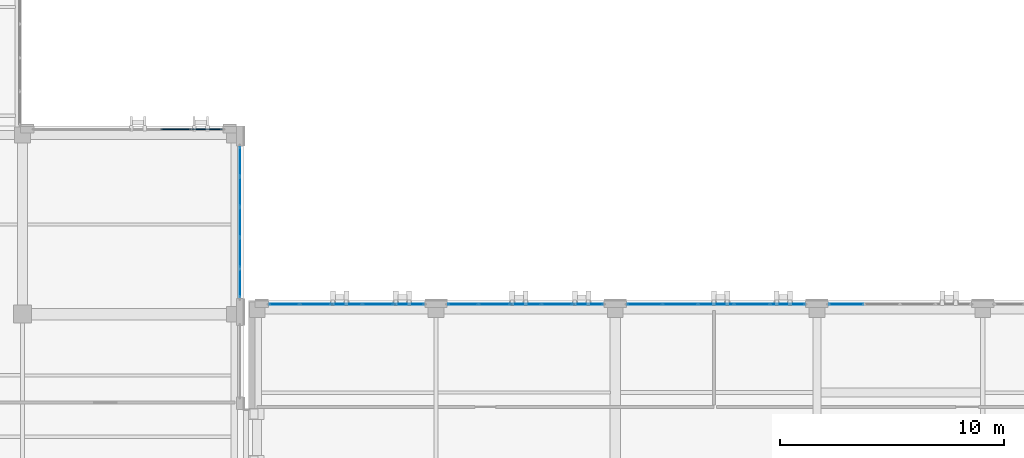
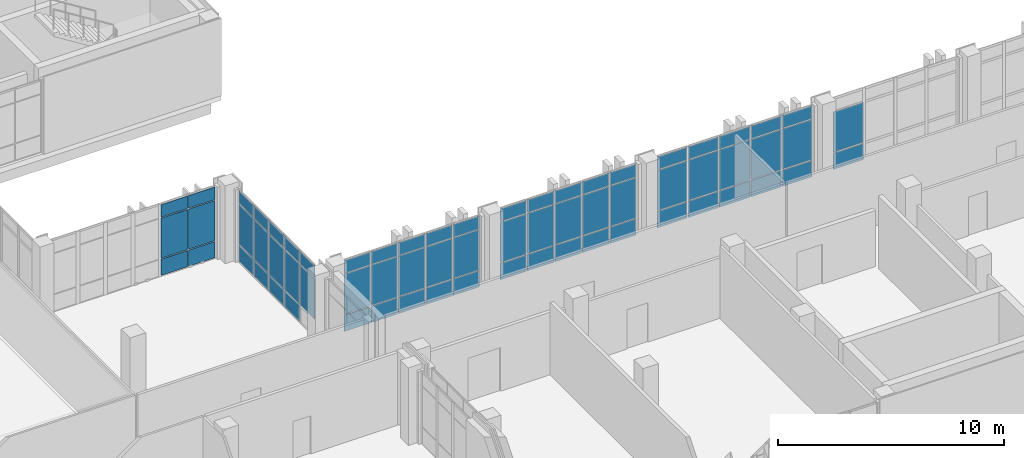
# One storey, part 139 of 193: 67 plates, 6 elements without a shape of their own.
"""IFC4 building model written with IfcOpenShell, lengths in metres."""

from ifc_helpers import new_model, si_unit, direction, frame, origin, origin_2d, place, context, subcontext, project, spatial, rectangle, extrude, material, layer, layer_set, type_object, element, aggregate, save


model = new_model("IFC4")

# Units and contexts
model_context = context("Model", 3, precision=1e-05, world=origin(), true_north=direction((0.0, 1.0)))
body_context = subcontext(model_context, "Body", "Model", "MODEL_VIEW")
ifc_project = project(units=[si_unit("LENGTHUNIT", "METRE"), si_unit("AREAUNIT", "SQUARE_METRE"), si_unit("VOLUMEUNIT", "CUBIC_METRE"), si_unit("PLANEANGLEUNIT", "RADIAN"), si_unit("MASSUNIT", "GRAM", prefix="KILO")], contexts=[model_context])

# Site, building, storey
site_placement = place(None, origin())
site = spatial("IfcSite", under=ifc_project, at=site_placement, CompositionType="ELEMENT")
building_placement = place(site_placement, origin())
building = spatial("IfcBuilding", under=site, at=building_placement, Name="Qalavern Law Courts", CompositionType="ELEMENT")
storey_placement = place(building_placement, frame((0.0, 0.0, 10.199951171875)))
storey = spatial("IfcBuildingStorey", under=building, at=storey_placement, Name="L02", CompositionType="ELEMENT", Elevation=10.199951171875)

# Curtain wall, plates
ifc_material_1 = material(Name="Anodised aluminium and insulated glazing", Category="aluminium")
ifc_layer_1 = layer(ifc_material_1, 0.18505859375)
ifc_layer_set_1 = layer_set([ifc_layer_1], Name="Anodised aluminium and insulated glazing")
curtain_wall_type_1 = type_object("IfcCurtainWallType", Name="ENV-CW-HALL", PredefinedType="USERDEFINED", material=ifc_layer_set_1)
curtain_wall_1_placement = place(storey_placement, origin())
curtain_wall_1 = element("IfcCurtainWall", 1, at=curtain_wall_1_placement, inside=storey, type_object=curtain_wall_type_1, Name="V2 unitised curtain wall L02 east 2", ObjectType="UNITISED CURTAIN WALL", PredefinedType="USERDEFINED")
ifc_material_2 = material(Name="Insulated low-E acoustic glazing", Category="glass")
ifc_layer_2 = layer(ifc_material_2, 0.02392578125)
ifc_layer_set_2 = layer_set([ifc_layer_2], Name="Insulated low-E acoustic glazing")
plate_type_1 = type_object("IfcPlateType", Name="ENV-CWP-24", PredefinedType="CURTAIN_PANEL", material=ifc_layer_set_2)
plate_1_placement = place(storey_placement, frame((101.044921875, 23.39208984375, 0.97412109375), z_axis=(0.0, 0.0, 1.0), x_axis=(0.0, 1.0, 0.0)))
plate_1 = element("IfcPlate", 2, at=plate_1_placement, type_object=plate_type_1, Name="CW-02 panel 1.2", PredefinedType="CURTAIN_PANEL", context=body_context, shape_type="SweptSolid", body=[
    extrude(rectangle(XDim=1.2880859375, YDim=0.02392578125, at=origin_2d()), origin(), (0.0, 0.0, 1.0), 2.1669921875),
])
plate_2_placement = place(storey_placement, frame((101.044921875, 23.39208984375, 3.18896484375), z_axis=(0.0, 0.0, 1.0), x_axis=(0.0, 1.0, 0.0)))
plate_2 = element("IfcPlate", 3, at=plate_2_placement, type_object=plate_type_1, Name="CW-02 panel 1.3", PredefinedType="CURTAIN_PANEL", context=body_context, shape_type="SweptSolid", body=[
    extrude(rectangle(XDim=1.2880859375, YDim=0.02392578125, at=origin_2d()), origin(), (0.0, 0.0, 1.0), 0.677978515625),
])
plate_3_placement = place(storey_placement, frame((101.044921875, 24.739990234375, 0.048095703125), z_axis=(0.0, 0.0, 1.0), x_axis=(0.0, 1.0, 0.0)))
plate_3 = element("IfcPlate", 4, at=plate_3_placement, type_object=plate_type_1, Name="CW-02 panel 2.1", PredefinedType="CURTAIN_PANEL", context=body_context, shape_type="SweptSolid", body=[
    extrude(rectangle(XDim=1.31201171875, YDim=0.02392578125, at=origin_2d()), origin(), (0.0, 0.0, 1.0), 0.8779296875),
])
plate_4_placement = place(storey_placement, frame((101.044921875, 24.739990234375, 0.97412109375), z_axis=(0.0, 0.0, 1.0), x_axis=(0.0, 1.0, 0.0)))
plate_4 = element("IfcPlate", 5, at=plate_4_placement, type_object=plate_type_1, Name="CW-02 panel 2.2", PredefinedType="CURTAIN_PANEL", context=body_context, shape_type="SweptSolid", body=[
    extrude(rectangle(XDim=1.31201171875, YDim=0.02392578125, at=origin_2d()), origin(), (0.0, 0.0, 1.0), 2.1669921875),
])
plate_5_placement = place(storey_placement, frame((101.044921875, 24.739990234375, 3.18896484375), z_axis=(0.0, 0.0, 1.0), x_axis=(0.0, 1.0, 0.0)))
plate_5 = element("IfcPlate", 6, at=plate_5_placement, type_object=plate_type_1, Name="CW-02 panel 2.3", PredefinedType="CURTAIN_PANEL", context=body_context, shape_type="SweptSolid", body=[
    extrude(rectangle(XDim=1.31201171875, YDim=0.02392578125, at=origin_2d()), origin(), (0.0, 0.0, 1.0), 0.677978515625),
])
plate_6_placement = place(storey_placement, frame((101.044921875, 26.10009765625, 0.048095703125), z_axis=(0.0, 0.0, 1.0), x_axis=(0.0, 1.0, 0.0)))
plate_6 = element("IfcPlate", 7, at=plate_6_placement, type_object=plate_type_1, Name="CW-02 panel 3.1", PredefinedType="CURTAIN_PANEL", context=body_context, shape_type="SweptSolid", body=[
    extrude(rectangle(XDim=1.31201171875, YDim=0.02392578125, at=origin_2d()), origin(), (0.0, 0.0, 1.0), 0.8779296875),
])
plate_7_placement = place(storey_placement, frame((101.044921875, 26.10009765625, 0.97412109375), z_axis=(0.0, 0.0, 1.0), x_axis=(0.0, 1.0, 0.0)))
plate_7 = element("IfcPlate", 8, at=plate_7_placement, type_object=plate_type_1, Name="CW-02 panel 3.2", PredefinedType="CURTAIN_PANEL", context=body_context, shape_type="SweptSolid", body=[
    extrude(rectangle(XDim=1.31201171875, YDim=0.02392578125, at=origin_2d()), origin(), (0.0, 0.0, 1.0), 2.1669921875),
])
plate_8_placement = place(storey_placement, frame((101.044921875, 26.10009765625, 3.18896484375), z_axis=(0.0, 0.0, 1.0), x_axis=(0.0, 1.0, 0.0)))
plate_8 = element("IfcPlate", 9, at=plate_8_placement, type_object=plate_type_1, Name="CW-02 panel 3.3", PredefinedType="CURTAIN_PANEL", context=body_context, shape_type="SweptSolid", body=[
    extrude(rectangle(XDim=1.31201171875, YDim=0.02392578125, at=origin_2d()), origin(), (0.0, 0.0, 1.0), 0.677978515625),
])
plate_9_placement = place(storey_placement, frame((101.044921875, 27.4599609375, 0.048095703125), z_axis=(0.0, 0.0, 1.0), x_axis=(0.0, 1.0, 0.0)))
plate_9 = element("IfcPlate", 10, at=plate_9_placement, type_object=plate_type_1, Name="CW-02 panel 4.1", PredefinedType="CURTAIN_PANEL", context=body_context, shape_type="SweptSolid", body=[
    extrude(rectangle(XDim=1.31201171875, YDim=0.02392578125, at=origin_2d()), origin(), (0.0, 0.0, 1.0), 0.8779296875),
])
plate_10_placement = place(storey_placement, frame((101.044921875, 27.4599609375, 0.97412109375), z_axis=(0.0, 0.0, 1.0), x_axis=(0.0, 1.0, 0.0)))
plate_10 = element("IfcPlate", 11, at=plate_10_placement, type_object=plate_type_1, Name="CW-02 panel 4.2", PredefinedType="CURTAIN_PANEL", context=body_context, shape_type="SweptSolid", body=[
    extrude(rectangle(XDim=1.31201171875, YDim=0.02392578125, at=origin_2d()), origin(), (0.0, 0.0, 1.0), 2.1669921875),
])
plate_11_placement = place(storey_placement, frame((101.044921875, 27.4599609375, 3.18896484375), z_axis=(0.0, 0.0, 1.0), x_axis=(0.0, 1.0, 0.0)))
plate_11 = element("IfcPlate", 12, at=plate_11_placement, type_object=plate_type_1, Name="CW-02 panel 4.3", PredefinedType="CURTAIN_PANEL", context=body_context, shape_type="SweptSolid", body=[
    extrude(rectangle(XDim=1.31201171875, YDim=0.02392578125, at=origin_2d()), origin(), (0.0, 0.0, 1.0), 0.677978515625),
])
plate_12_placement = place(storey_placement, frame((101.044921875, 28.80810546875, 0.048095703125), z_axis=(0.0, 0.0, 1.0), x_axis=(0.0, 1.0, 0.0)))
plate_12 = element("IfcPlate", 13, at=plate_12_placement, type_object=plate_type_1, Name="CW-02 panel 5.1", PredefinedType="CURTAIN_PANEL", context=body_context, shape_type="SweptSolid", body=[
    extrude(rectangle(XDim=1.2880859375, YDim=0.02392578125, at=origin_2d()), origin(), (0.0, 0.0, 1.0), 0.8779296875),
])
plate_13_placement = place(storey_placement, frame((101.044921875, 28.80810546875, 0.97412109375), z_axis=(0.0, 0.0, 1.0), x_axis=(0.0, 1.0, 0.0)))
plate_13 = element("IfcPlate", 14, at=plate_13_placement, type_object=plate_type_1, Name="CW-02 panel 5.2", PredefinedType="CURTAIN_PANEL", context=body_context, shape_type="SweptSolid", body=[
    extrude(rectangle(XDim=1.2880859375, YDim=0.02392578125, at=origin_2d()), origin(), (0.0, 0.0, 1.0), 2.1669921875),
])
plate_14_placement = place(storey_placement, frame((101.044921875, 28.80810546875, 3.18896484375), z_axis=(0.0, 0.0, 1.0), x_axis=(0.0, 1.0, 0.0)))
plate_14 = element("IfcPlate", 15, at=plate_14_placement, type_object=plate_type_1, Name="CW-02 panel 5.3", PredefinedType="CURTAIN_PANEL", context=body_context, shape_type="SweptSolid", body=[
    extrude(rectangle(XDim=1.2880859375, YDim=0.02392578125, at=origin_2d()), origin(), (0.0, 0.0, 1.0), 0.677978515625),
])
aggregate(curtain_wall_1, [plate_1, plate_2, plate_3, plate_4, plate_5, plate_6, plate_7, plate_8, plate_9, plate_10, plate_11, plate_12, plate_13, plate_14])

ifc_layer_3 = layer(ifc_material_1, 0.172119140625)
ifc_layer_set_3 = layer_set([ifc_layer_3], Name="Anodised aluminium and insulated glazing")
curtain_wall_type_2 = type_object("IfcCurtainWallType", Name="ENV-CW-COURT", PredefinedType="USERDEFINED", material=ifc_layer_set_3)
curtain_wall_2_placement = place(storey_placement, origin())
curtain_wall_2 = element("IfcCurtainWall", 16, at=curtain_wall_2_placement, inside=storey, type_object=curtain_wall_type_2, Name="V6 unitised curtain wall L02 north 5", ObjectType="UNITISED CURTAIN WALL", PredefinedType="USERDEFINED")
ifc_layer_4 = layer(ifc_material_2, 0.031982421875)
ifc_layer_set_4 = layer_set([ifc_layer_4], Name="Insulated low-E acoustic glazing")
plate_type_2 = type_object("IfcPlateType", Name="ENV-CWP-32", PredefinedType="CURTAIN_PANEL", material=ifc_layer_set_4)
plate_15_placement = place(storey_placement, frame((128.112060546875, 22.445068359375, 0.048095703125), z_axis=(0.0, 0.0, 1.0), x_axis=(-1.0, 0.0, 0.0)))
plate_15 = element("IfcPlate", 17, at=plate_15_placement, type_object=plate_type_2, Name="CW-03 panel 4.1", PredefinedType="CURTAIN_PANEL", context=body_context, shape_type="SweptSolid", body=[
    extrude(rectangle(XDim=1.528076171875, YDim=0.031982421875, at=origin_2d()), origin(), (0.0, 0.0, 1.0), 0.8779296875),
])
plate_16_placement = place(storey_placement, frame((128.112060546875, 22.445068359375, 0.97412109375), z_axis=(0.0, 0.0, 1.0), x_axis=(-1.0, 0.0, 0.0)))
plate_16 = element("IfcPlate", 18, at=plate_16_placement, type_object=plate_type_2, Name="CW-03 panel 4.2", PredefinedType="CURTAIN_PANEL", context=body_context, shape_type="SweptSolid", body=[
    extrude(rectangle(XDim=1.528076171875, YDim=0.031982421875, at=origin_2d()), origin(), (0.0, 0.0, 1.0), 2.1669921875),
])
aggregate(curtain_wall_2, [plate_15, plate_16])

curtain_wall_3_placement = place(storey_placement, origin())
curtain_wall_3 = element("IfcCurtainWall", 19, at=curtain_wall_3_placement, inside=storey, type_object=curtain_wall_type_2, Name="V6 unitised curtain wall L02 north 6", ObjectType="UNITISED CURTAIN WALL", PredefinedType="USERDEFINED")
ifc_layer_5 = layer(ifc_material_2, 0.035888671875)
ifc_layer_set_5 = layer_set([ifc_layer_5], Name="Insulated low-E acoustic glazing")
plate_type_3 = type_object("IfcPlateType", Name="ENV-CWP-36", PredefinedType="CURTAIN_PANEL", material=ifc_layer_set_5)
plate_17_placement = place(storey_placement, frame((125.488037109375, 22.445068359375, 0.048095703125), z_axis=(0.0, 0.0, 1.0), x_axis=(-1.0, 0.0, 0.0)))
plate_17 = element("IfcPlate", 20, at=plate_17_placement, type_object=plate_type_3, Name="CW-03 panel 1.1", PredefinedType="CURTAIN_PANEL", context=body_context, shape_type="SweptSolid", body=[
    extrude(rectangle(XDim=1.528076171875, YDim=0.035888671875, at=origin_2d()), origin(), (0.0, 0.0, 1.0), 0.8779296875),
])
plate_18_placement = place(storey_placement, frame((125.488037109375, 22.445068359375, 0.97412109375), z_axis=(0.0, 0.0, 1.0), x_axis=(-1.0, 0.0, 0.0)))
plate_18 = element("IfcPlate", 21, at=plate_18_placement, type_object=plate_type_3, Name="CW-03 panel 1.2", PredefinedType="CURTAIN_PANEL", context=body_context, shape_type="SweptSolid", body=[
    extrude(rectangle(XDim=1.528076171875, YDim=0.035888671875, at=origin_2d()), origin(), (0.0, 0.0, 1.0), 2.1669921875),
])
plate_19_placement = place(storey_placement, frame((125.488037109375, 22.445068359375, 3.18896484375), z_axis=(0.0, 0.0, 1.0), x_axis=(-1.0, 0.0, 0.0)))
plate_19 = element("IfcPlate", 22, at=plate_19_placement, type_object=plate_type_3, Name="CW-03 panel 1.3", PredefinedType="CURTAIN_PANEL", context=body_context, shape_type="SweptSolid", body=[
    extrude(rectangle(XDim=1.528076171875, YDim=0.035888671875, at=origin_2d()), origin(), (0.0, 0.0, 1.0), 0.677978515625),
])
plate_20_placement = place(storey_placement, frame((123.89990234375, 22.445068359375, 0.048095703125), z_axis=(0.0, 0.0, 1.0), x_axis=(-1.0, 0.0, 0.0)))
plate_20 = element("IfcPlate", 23, at=plate_20_placement, type_object=plate_type_3, Name="CW-03 panel 2.1", PredefinedType="CURTAIN_PANEL", context=body_context, shape_type="SweptSolid", body=[
    extrude(rectangle(XDim=1.552001953125, YDim=0.035888671875, at=origin_2d()), origin(), (0.0, 0.0, 1.0), 0.8779296875),
])
plate_21_placement = place(storey_placement, frame((123.89990234375, 22.445068359375, 0.97412109375), z_axis=(0.0, 0.0, 1.0), x_axis=(-1.0, 0.0, 0.0)))
plate_21 = element("IfcPlate", 24, at=plate_21_placement, type_object=plate_type_3, Name="CW-03 panel 2.2", PredefinedType="CURTAIN_PANEL", context=body_context, shape_type="SweptSolid", body=[
    extrude(rectangle(XDim=1.552001953125, YDim=0.035888671875, at=origin_2d()), origin(), (0.0, 0.0, 1.0), 2.1669921875),
])
plate_22_placement = place(storey_placement, frame((123.89990234375, 22.445068359375, 3.18896484375), z_axis=(0.0, 0.0, 1.0), x_axis=(-1.0, 0.0, 0.0)))
plate_22 = element("IfcPlate", 25, at=plate_22_placement, type_object=plate_type_3, Name="CW-03 panel 2.3", PredefinedType="CURTAIN_PANEL", context=body_context, shape_type="SweptSolid", body=[
    extrude(rectangle(XDim=1.552001953125, YDim=0.035888671875, at=origin_2d()), origin(), (0.0, 0.0, 1.0), 0.677978515625),
])
plate_23_placement = place(storey_placement, frame((122.300048828125, 22.445068359375, 0.048095703125), z_axis=(0.0, 0.0, 1.0), x_axis=(-1.0, 0.0, 0.0)))
plate_23 = element("IfcPlate", 26, at=plate_23_placement, type_object=plate_type_3, Name="CW-03 panel 3.1", PredefinedType="CURTAIN_PANEL", context=body_context, shape_type="SweptSolid", body=[
    extrude(rectangle(XDim=1.552001953125, YDim=0.035888671875, at=origin_2d()), origin(), (0.0, 0.0, 1.0), 0.8779296875),
])
plate_24_placement = place(storey_placement, frame((122.300048828125, 22.445068359375, 0.97412109375), z_axis=(0.0, 0.0, 1.0), x_axis=(-1.0, 0.0, 0.0)))
plate_24 = element("IfcPlate", 27, at=plate_24_placement, type_object=plate_type_3, Name="CW-03 panel 3.2", PredefinedType="CURTAIN_PANEL", context=body_context, shape_type="SweptSolid", body=[
    extrude(rectangle(XDim=1.552001953125, YDim=0.035888671875, at=origin_2d()), origin(), (0.0, 0.0, 1.0), 2.1669921875),
])
plate_25_placement = place(storey_placement, frame((122.300048828125, 22.445068359375, 3.18896484375), z_axis=(0.0, 0.0, 1.0), x_axis=(-1.0, 0.0, 0.0)))
plate_25 = element("IfcPlate", 28, at=plate_25_placement, type_object=plate_type_3, Name="CW-03 panel 3.3", PredefinedType="CURTAIN_PANEL", context=body_context, shape_type="SweptSolid", body=[
    extrude(rectangle(XDim=1.552001953125, YDim=0.035888671875, at=origin_2d()), origin(), (0.0, 0.0, 1.0), 0.677978515625),
])
plate_26_placement = place(storey_placement, frame((120.699951171875, 22.445068359375, 0.048095703125), z_axis=(0.0, 0.0, 1.0), x_axis=(-1.0, 0.0, 0.0)))
plate_26 = element("IfcPlate", 29, at=plate_26_placement, type_object=plate_type_3, Name="CW-03 panel 4.1", PredefinedType="CURTAIN_PANEL", context=body_context, shape_type="SweptSolid", body=[
    extrude(rectangle(XDim=1.552001953125, YDim=0.035888671875, at=origin_2d()), origin(), (0.0, 0.0, 1.0), 0.8779296875),
])
plate_27_placement = place(storey_placement, frame((120.699951171875, 22.445068359375, 0.97412109375), z_axis=(0.0, 0.0, 1.0), x_axis=(-1.0, 0.0, 0.0)))
plate_27 = element("IfcPlate", 30, at=plate_27_placement, type_object=plate_type_3, Name="CW-03 panel 4.2", PredefinedType="CURTAIN_PANEL", context=body_context, shape_type="SweptSolid", body=[
    extrude(rectangle(XDim=1.552001953125, YDim=0.035888671875, at=origin_2d()), origin(), (0.0, 0.0, 1.0), 2.1669921875),
])
plate_28_placement = place(storey_placement, frame((120.699951171875, 22.445068359375, 3.18896484375), z_axis=(0.0, 0.0, 1.0), x_axis=(-1.0, 0.0, 0.0)))
plate_28 = element("IfcPlate", 31, at=plate_28_placement, type_object=plate_type_3, Name="CW-03 panel 4.3", PredefinedType="CURTAIN_PANEL", context=body_context, shape_type="SweptSolid", body=[
    extrude(rectangle(XDim=1.552001953125, YDim=0.035888671875, at=origin_2d()), origin(), (0.0, 0.0, 1.0), 0.677978515625),
])
plate_29_placement = place(storey_placement, frame((119.112060546875, 22.445068359375, 0.048095703125), z_axis=(0.0, 0.0, 1.0), x_axis=(-1.0, 0.0, 0.0)))
plate_29 = element("IfcPlate", 32, at=plate_29_placement, type_object=plate_type_3, Name="CW-03 panel 5.1", PredefinedType="CURTAIN_PANEL", context=body_context, shape_type="SweptSolid", body=[
    extrude(rectangle(XDim=1.528076171875, YDim=0.035888671875, at=origin_2d()), origin(), (0.0, 0.0, 1.0), 0.8779296875),
])
plate_30_placement = place(storey_placement, frame((119.112060546875, 22.445068359375, 0.97412109375), z_axis=(0.0, 0.0, 1.0), x_axis=(-1.0, 0.0, 0.0)))
plate_30 = element("IfcPlate", 33, at=plate_30_placement, type_object=plate_type_3, Name="CW-03 panel 5.2", PredefinedType="CURTAIN_PANEL", context=body_context, shape_type="SweptSolid", body=[
    extrude(rectangle(XDim=1.528076171875, YDim=0.035888671875, at=origin_2d()), origin(), (0.0, 0.0, 1.0), 2.1669921875),
])
plate_31_placement = place(storey_placement, frame((119.112060546875, 22.445068359375, 3.18896484375), z_axis=(0.0, 0.0, 1.0), x_axis=(-1.0, 0.0, 0.0)))
plate_31 = element("IfcPlate", 34, at=plate_31_placement, type_object=plate_type_3, Name="CW-03 panel 5.3", PredefinedType="CURTAIN_PANEL", context=body_context, shape_type="SweptSolid", body=[
    extrude(rectangle(XDim=1.528076171875, YDim=0.035888671875, at=origin_2d()), origin(), (0.0, 0.0, 1.0), 0.677978515625),
])
aggregate(curtain_wall_3, [plate_17, plate_18, plate_19, plate_20, plate_21, plate_22, plate_23, plate_24, plate_25, plate_26, plate_27, plate_28, plate_29, plate_30, plate_31])

curtain_wall_4_placement = place(storey_placement, origin())
curtain_wall_4 = element("IfcCurtainWall", 35, at=curtain_wall_4_placement, inside=storey, type_object=curtain_wall_type_2, Name="V6 unitised curtain wall L02 north 7", ObjectType="UNITISED CURTAIN WALL", PredefinedType="USERDEFINED")
ifc_layer_6 = layer(ifc_material_2, 0.0400390625)
ifc_layer_set_6 = layer_set([ifc_layer_6], Name="Insulated low-E acoustic glazing")
plate_type_4 = type_object("IfcPlateType", Name="ENV-CWP-40", PredefinedType="CURTAIN_PANEL", material=ifc_layer_set_6)
plate_32_placement = place(storey_placement, frame((116.587890625, 22.445068359375, 0.048095703125), z_axis=(0.0, 0.0, 1.0), x_axis=(-1.0, 0.0, 0.0)))
plate_32 = element("IfcPlate", 36, at=plate_32_placement, type_object=plate_type_4, Name="CW-03 panel 1.1", PredefinedType="CURTAIN_PANEL", context=body_context, shape_type="SweptSolid", body=[
    extrude(rectangle(XDim=1.327880859375, YDim=0.0400390625, at=origin_2d()), origin(), (0.0, 0.0, 1.0), 0.8779296875),
])
plate_33_placement = place(storey_placement, frame((116.587890625, 22.445068359375, 0.97412109375), z_axis=(0.0, 0.0, 1.0), x_axis=(-1.0, 0.0, 0.0)))
plate_33 = element("IfcPlate", 37, at=plate_33_placement, type_object=plate_type_4, Name="CW-03 panel 1.2", PredefinedType="CURTAIN_PANEL", context=body_context, shape_type="SweptSolid", body=[
    extrude(rectangle(XDim=1.327880859375, YDim=0.0400390625, at=origin_2d()), origin(), (0.0, 0.0, 1.0), 2.1669921875),
])
plate_34_placement = place(storey_placement, frame((116.587890625, 22.445068359375, 3.18896484375), z_axis=(0.0, 0.0, 1.0), x_axis=(-1.0, 0.0, 0.0)))
plate_34 = element("IfcPlate", 38, at=plate_34_placement, type_object=plate_type_4, Name="CW-03 panel 1.3", PredefinedType="CURTAIN_PANEL", context=body_context, shape_type="SweptSolid", body=[
    extrude(rectangle(XDim=1.327880859375, YDim=0.0400390625, at=origin_2d()), origin(), (0.0, 0.0, 1.0), 0.677978515625),
])
plate_35_placement = place(storey_placement, frame((115.199951171875, 22.445068359375, 0.048095703125), z_axis=(0.0, 0.0, 1.0), x_axis=(-1.0, 0.0, 0.0)))
plate_35 = element("IfcPlate", 39, at=plate_35_placement, type_object=plate_type_4, Name="CW-03 panel 2.1", PredefinedType="CURTAIN_PANEL", context=body_context, shape_type="SweptSolid", body=[
    extrude(rectangle(XDim=1.35205078125, YDim=0.0400390625, at=origin_2d()), origin(), (0.0, 0.0, 1.0), 0.8779296875),
])
plate_36_placement = place(storey_placement, frame((115.199951171875, 22.445068359375, 0.97412109375), z_axis=(0.0, 0.0, 1.0), x_axis=(-1.0, 0.0, 0.0)))
plate_36 = element("IfcPlate", 40, at=plate_36_placement, type_object=plate_type_4, Name="CW-03 panel 2.2", PredefinedType="CURTAIN_PANEL", context=body_context, shape_type="SweptSolid", body=[
    extrude(rectangle(XDim=1.35205078125, YDim=0.0400390625, at=origin_2d()), origin(), (0.0, 0.0, 1.0), 2.1669921875),
])
plate_37_placement = place(storey_placement, frame((115.199951171875, 22.445068359375, 3.18896484375), z_axis=(0.0, 0.0, 1.0), x_axis=(-1.0, 0.0, 0.0)))
plate_37 = element("IfcPlate", 41, at=plate_37_placement, type_object=plate_type_4, Name="CW-03 panel 2.3", PredefinedType="CURTAIN_PANEL", context=body_context, shape_type="SweptSolid", body=[
    extrude(rectangle(XDim=1.35205078125, YDim=0.0400390625, at=origin_2d()), origin(), (0.0, 0.0, 1.0), 0.677978515625),
])
plate_38_placement = place(storey_placement, frame((113.800048828125, 22.445068359375, 0.048095703125), z_axis=(0.0, 0.0, 1.0), x_axis=(-1.0, 0.0, 0.0)))
plate_38 = element("IfcPlate", 42, at=plate_38_placement, type_object=plate_type_4, Name="CW-03 panel 3.1", PredefinedType="CURTAIN_PANEL", context=body_context, shape_type="SweptSolid", body=[
    extrude(rectangle(XDim=1.35205078125, YDim=0.0400390625, at=origin_2d()), origin(), (0.0, 0.0, 1.0), 0.8779296875),
])
plate_39_placement = place(storey_placement, frame((113.800048828125, 22.445068359375, 0.97412109375), z_axis=(0.0, 0.0, 1.0), x_axis=(-1.0, 0.0, 0.0)))
plate_39 = element("IfcPlate", 43, at=plate_39_placement, type_object=plate_type_4, Name="CW-03 panel 3.2", PredefinedType="CURTAIN_PANEL", context=body_context, shape_type="SweptSolid", body=[
    extrude(rectangle(XDim=1.35205078125, YDim=0.0400390625, at=origin_2d()), origin(), (0.0, 0.0, 1.0), 2.1669921875),
])
plate_40_placement = place(storey_placement, frame((113.800048828125, 22.445068359375, 3.18896484375), z_axis=(0.0, 0.0, 1.0), x_axis=(-1.0, 0.0, 0.0)))
plate_40 = element("IfcPlate", 44, at=plate_40_placement, type_object=plate_type_4, Name="CW-03 panel 3.3", PredefinedType="CURTAIN_PANEL", context=body_context, shape_type="SweptSolid", body=[
    extrude(rectangle(XDim=1.35205078125, YDim=0.0400390625, at=origin_2d()), origin(), (0.0, 0.0, 1.0), 0.677978515625),
])
plate_41_placement = place(storey_placement, frame((112.39990234375, 22.445068359375, 0.048095703125), z_axis=(0.0, 0.0, 1.0), x_axis=(-1.0, 0.0, 0.0)))
plate_41 = element("IfcPlate", 45, at=plate_41_placement, type_object=plate_type_4, Name="CW-03 panel 4.1", PredefinedType="CURTAIN_PANEL", context=body_context, shape_type="SweptSolid", body=[
    extrude(rectangle(XDim=1.35205078125, YDim=0.0400390625, at=origin_2d()), origin(), (0.0, 0.0, 1.0), 0.8779296875),
])
plate_42_placement = place(storey_placement, frame((112.39990234375, 22.445068359375, 0.97412109375), z_axis=(0.0, 0.0, 1.0), x_axis=(-1.0, 0.0, 0.0)))
plate_42 = element("IfcPlate", 46, at=plate_42_placement, type_object=plate_type_4, Name="CW-03 panel 4.2", PredefinedType="CURTAIN_PANEL", context=body_context, shape_type="SweptSolid", body=[
    extrude(rectangle(XDim=1.35205078125, YDim=0.0400390625, at=origin_2d()), origin(), (0.0, 0.0, 1.0), 2.1669921875),
])
plate_43_placement = place(storey_placement, frame((112.39990234375, 22.445068359375, 3.18896484375), z_axis=(0.0, 0.0, 1.0), x_axis=(-1.0, 0.0, 0.0)))
plate_43 = element("IfcPlate", 47, at=plate_43_placement, type_object=plate_type_4, Name="CW-03 panel 4.3", PredefinedType="CURTAIN_PANEL", context=body_context, shape_type="SweptSolid", body=[
    extrude(rectangle(XDim=1.35205078125, YDim=0.0400390625, at=origin_2d()), origin(), (0.0, 0.0, 1.0), 0.677978515625),
])
plate_44_placement = place(storey_placement, frame((111.011962890625, 22.445068359375, 0.048095703125), z_axis=(0.0, 0.0, 1.0), x_axis=(-1.0, 0.0, 0.0)))
plate_44 = element("IfcPlate", 48, at=plate_44_placement, type_object=plate_type_4, Name="CW-03 panel 5.1", PredefinedType="CURTAIN_PANEL", context=body_context, shape_type="SweptSolid", body=[
    extrude(rectangle(XDim=1.327880859375, YDim=0.0400390625, at=origin_2d()), origin(), (0.0, 0.0, 1.0), 0.8779296875),
])
plate_45_placement = place(storey_placement, frame((111.011962890625, 22.445068359375, 0.97412109375), z_axis=(0.0, 0.0, 1.0), x_axis=(-1.0, 0.0, 0.0)))
plate_45 = element("IfcPlate", 49, at=plate_45_placement, type_object=plate_type_4, Name="CW-03 panel 5.2", PredefinedType="CURTAIN_PANEL", context=body_context, shape_type="SweptSolid", body=[
    extrude(rectangle(XDim=1.327880859375, YDim=0.0400390625, at=origin_2d()), origin(), (0.0, 0.0, 1.0), 2.1669921875),
])
plate_46_placement = place(storey_placement, frame((111.011962890625, 22.445068359375, 3.18896484375), z_axis=(0.0, 0.0, 1.0), x_axis=(-1.0, 0.0, 0.0)))
plate_46 = element("IfcPlate", 50, at=plate_46_placement, type_object=plate_type_4, Name="CW-03 panel 5.3", PredefinedType="CURTAIN_PANEL", context=body_context, shape_type="SweptSolid", body=[
    extrude(rectangle(XDim=1.327880859375, YDim=0.0400390625, at=origin_2d()), origin(), (0.0, 0.0, 1.0), 0.677978515625),
])
aggregate(curtain_wall_4, [plate_32, plate_33, plate_34, plate_35, plate_36, plate_37, plate_38, plate_39, plate_40, plate_41, plate_42, plate_43, plate_44, plate_45, plate_46])

curtain_wall_5_placement = place(storey_placement, origin())
curtain_wall_5 = element("IfcCurtainWall", 51, at=curtain_wall_5_placement, inside=storey, type_object=curtain_wall_type_2, Name="V6 unitised curtain wall L02 north 8", ObjectType="UNITISED CURTAIN WALL", PredefinedType="USERDEFINED")
ifc_layer_7 = layer(ifc_material_2, 0.0439453125)
ifc_layer_set_7 = layer_set([ifc_layer_7], Name="Insulated low-E acoustic glazing")
plate_type_5 = type_object("IfcPlateType", Name="ENV-CWP-44", PredefinedType="CURTAIN_PANEL", material=ifc_layer_set_7)
plate_47_placement = place(storey_placement, frame((108.590087890625, 22.445068359375, 0.048095703125), z_axis=(0.0, 0.0, 1.0), x_axis=(-1.0, 0.0, 0.0)))
plate_47 = element("IfcPlate", 52, at=plate_47_placement, type_object=plate_type_5, Name="CW-03 panel 1.1", PredefinedType="CURTAIN_PANEL", context=body_context, shape_type="SweptSolid", body=[
    extrude(rectangle(XDim=1.323974609375, YDim=0.0439453125, at=origin_2d()), origin(), (0.0, 0.0, 1.0), 0.8779296875),
])
plate_48_placement = place(storey_placement, frame((108.590087890625, 22.445068359375, 0.97412109375), z_axis=(0.0, 0.0, 1.0), x_axis=(-1.0, 0.0, 0.0)))
plate_48 = element("IfcPlate", 53, at=plate_48_placement, type_object=plate_type_5, Name="CW-03 panel 1.2", PredefinedType="CURTAIN_PANEL", context=body_context, shape_type="SweptSolid", body=[
    extrude(rectangle(XDim=1.323974609375, YDim=0.0439453125, at=origin_2d()), origin(), (0.0, 0.0, 1.0), 2.1669921875),
])
plate_49_placement = place(storey_placement, frame((108.590087890625, 22.445068359375, 3.18896484375), z_axis=(0.0, 0.0, 1.0), x_axis=(-1.0, 0.0, 0.0)))
plate_49 = element("IfcPlate", 54, at=plate_49_placement, type_object=plate_type_5, Name="CW-03 panel 1.3", PredefinedType="CURTAIN_PANEL", context=body_context, shape_type="SweptSolid", body=[
    extrude(rectangle(XDim=1.323974609375, YDim=0.0439453125, at=origin_2d()), origin(), (0.0, 0.0, 1.0), 0.677978515625),
])
plate_50_placement = place(storey_placement, frame((107.2060546875, 22.445068359375, 0.048095703125), z_axis=(0.0, 0.0, 1.0), x_axis=(-1.0, 0.0, 0.0)))
plate_50 = element("IfcPlate", 55, at=plate_50_placement, type_object=plate_type_5, Name="CW-03 panel 2.1", PredefinedType="CURTAIN_PANEL", context=body_context, shape_type="SweptSolid", body=[
    extrude(rectangle(XDim=1.347900390625, YDim=0.0439453125, at=origin_2d()), origin(), (0.0, 0.0, 1.0), 0.8779296875),
])
plate_51_placement = place(storey_placement, frame((107.2060546875, 22.445068359375, 0.97412109375), z_axis=(0.0, 0.0, 1.0), x_axis=(-1.0, 0.0, 0.0)))
plate_51 = element("IfcPlate", 56, at=plate_51_placement, type_object=plate_type_5, Name="CW-03 panel 2.2", PredefinedType="CURTAIN_PANEL", context=body_context, shape_type="SweptSolid", body=[
    extrude(rectangle(XDim=1.347900390625, YDim=0.0439453125, at=origin_2d()), origin(), (0.0, 0.0, 1.0), 2.1669921875),
])
plate_52_placement = place(storey_placement, frame((107.2060546875, 22.445068359375, 3.18896484375), z_axis=(0.0, 0.0, 1.0), x_axis=(-1.0, 0.0, 0.0)))
plate_52 = element("IfcPlate", 57, at=plate_52_placement, type_object=plate_type_5, Name="CW-03 panel 2.3", PredefinedType="CURTAIN_PANEL", context=body_context, shape_type="SweptSolid", body=[
    extrude(rectangle(XDim=1.347900390625, YDim=0.0439453125, at=origin_2d()), origin(), (0.0, 0.0, 1.0), 0.677978515625),
])
plate_53_placement = place(storey_placement, frame((105.81005859375, 22.445068359375, 0.048095703125), z_axis=(0.0, 0.0, 1.0), x_axis=(-1.0, 0.0, 0.0)))
plate_53 = element("IfcPlate", 58, at=plate_53_placement, type_object=plate_type_5, Name="CW-03 panel 3.1", PredefinedType="CURTAIN_PANEL", context=body_context, shape_type="SweptSolid", body=[
    extrude(rectangle(XDim=1.347900390625, YDim=0.0439453125, at=origin_2d()), origin(), (0.0, 0.0, 1.0), 0.8779296875),
])
plate_54_placement = place(storey_placement, frame((105.81005859375, 22.445068359375, 0.97412109375), z_axis=(0.0, 0.0, 1.0), x_axis=(-1.0, 0.0, 0.0)))
plate_54 = element("IfcPlate", 59, at=plate_54_placement, type_object=plate_type_5, Name="CW-03 panel 3.2", PredefinedType="CURTAIN_PANEL", context=body_context, shape_type="SweptSolid", body=[
    extrude(rectangle(XDim=1.347900390625, YDim=0.0439453125, at=origin_2d()), origin(), (0.0, 0.0, 1.0), 2.1669921875),
])
plate_55_placement = place(storey_placement, frame((105.81005859375, 22.445068359375, 3.18896484375), z_axis=(0.0, 0.0, 1.0), x_axis=(-1.0, 0.0, 0.0)))
plate_55 = element("IfcPlate", 60, at=plate_55_placement, type_object=plate_type_5, Name="CW-03 panel 3.3", PredefinedType="CURTAIN_PANEL", context=body_context, shape_type="SweptSolid", body=[
    extrude(rectangle(XDim=1.347900390625, YDim=0.0439453125, at=origin_2d()), origin(), (0.0, 0.0, 1.0), 0.677978515625),
])
plate_56_placement = place(storey_placement, frame((104.4140625, 22.445068359375, 0.048095703125), z_axis=(0.0, 0.0, 1.0), x_axis=(-1.0, 0.0, 0.0)))
plate_56 = element("IfcPlate", 61, at=plate_56_placement, type_object=plate_type_5, Name="CW-03 panel 4.1", PredefinedType="CURTAIN_PANEL", context=body_context, shape_type="SweptSolid", body=[
    extrude(rectangle(XDim=1.347900390625, YDim=0.0439453125, at=origin_2d()), origin(), (0.0, 0.0, 1.0), 0.8779296875),
])
plate_57_placement = place(storey_placement, frame((104.4140625, 22.445068359375, 0.97412109375), z_axis=(0.0, 0.0, 1.0), x_axis=(-1.0, 0.0, 0.0)))
plate_57 = element("IfcPlate", 62, at=plate_57_placement, type_object=plate_type_5, Name="CW-03 panel 4.2", PredefinedType="CURTAIN_PANEL", context=body_context, shape_type="SweptSolid", body=[
    extrude(rectangle(XDim=1.347900390625, YDim=0.0439453125, at=origin_2d()), origin(), (0.0, 0.0, 1.0), 2.1669921875),
])
plate_58_placement = place(storey_placement, frame((104.4140625, 22.445068359375, 3.18896484375), z_axis=(0.0, 0.0, 1.0), x_axis=(-1.0, 0.0, 0.0)))
plate_58 = element("IfcPlate", 63, at=plate_58_placement, type_object=plate_type_5, Name="CW-03 panel 4.3", PredefinedType="CURTAIN_PANEL", context=body_context, shape_type="SweptSolid", body=[
    extrude(rectangle(XDim=1.347900390625, YDim=0.0439453125, at=origin_2d()), origin(), (0.0, 0.0, 1.0), 0.677978515625),
])
plate_59_placement = place(storey_placement, frame((103.030029296875, 22.445068359375, 0.048095703125), z_axis=(0.0, 0.0, 1.0), x_axis=(-1.0, 0.0, 0.0)))
plate_59 = element("IfcPlate", 64, at=plate_59_placement, type_object=plate_type_5, Name="CW-03 panel 5.1", PredefinedType="CURTAIN_PANEL", context=body_context, shape_type="SweptSolid", body=[
    extrude(rectangle(XDim=1.323974609375, YDim=0.0439453125, at=origin_2d()), origin(), (0.0, 0.0, 1.0), 0.8779296875),
])
plate_60_placement = place(storey_placement, frame((103.030029296875, 22.445068359375, 0.97412109375), z_axis=(0.0, 0.0, 1.0), x_axis=(-1.0, 0.0, 0.0)))
plate_60 = element("IfcPlate", 65, at=plate_60_placement, type_object=plate_type_5, Name="CW-03 panel 5.2", PredefinedType="CURTAIN_PANEL", context=body_context, shape_type="SweptSolid", body=[
    extrude(rectangle(XDim=1.323974609375, YDim=0.0439453125, at=origin_2d()), origin(), (0.0, 0.0, 1.0), 2.1669921875),
])
plate_61_placement = place(storey_placement, frame((103.030029296875, 22.445068359375, 3.18896484375), z_axis=(0.0, 0.0, 1.0), x_axis=(-1.0, 0.0, 0.0)))
plate_61 = element("IfcPlate", 66, at=plate_61_placement, type_object=plate_type_5, Name="CW-03 panel 5.3", PredefinedType="CURTAIN_PANEL", context=body_context, shape_type="SweptSolid", body=[
    extrude(rectangle(XDim=1.323974609375, YDim=0.0439453125, at=origin_2d()), origin(), (0.0, 0.0, 1.0), 0.677978515625),
])
aggregate(curtain_wall_5, [plate_47, plate_48, plate_49, plate_50, plate_51, plate_52, plate_53, plate_54, plate_55, plate_56, plate_57, plate_58, plate_59, plate_60, plate_61])

curtain_wall_6_placement = place(storey_placement, origin())
curtain_wall_6 = element("IfcCurtainWall", 67, at=curtain_wall_6_placement, inside=storey, type_object=curtain_wall_type_1, Name="V2 unitised curtain wall L02 north 1", ObjectType="UNITISED CURTAIN WALL", PredefinedType="USERDEFINED")
ifc_layer_8 = layer(ifc_material_2, 0.048095703125)
ifc_layer_set_8 = layer_set([ifc_layer_8], Name="Insulated low-E acoustic glazing")
plate_type_6 = type_object("IfcPlateType", Name="ENV-CWP-48", PredefinedType="CURTAIN_PANEL", material=ifc_layer_set_8)
plate_62_placement = place(storey_placement, frame((99.58349609375, 30.2451171875, 0.048095703125), z_axis=(0.0, 0.0, 1.0), x_axis=(-1.0, 0.0, 0.0)))
plate_62 = element("IfcPlate", 68, at=plate_62_placement, type_object=plate_type_6, Name="CW-02 panel 1.1", PredefinedType="CURTAIN_PANEL", context=body_context, shape_type="SweptSolid", body=[
    extrude(rectangle(XDim=1.337158203125, YDim=0.048095703125, at=origin_2d()), origin(), (0.0, 0.0, 1.0), 0.8779296875),
])
plate_63_placement = place(storey_placement, frame((99.58349609375, 30.2451171875, 0.97412109375), z_axis=(0.0, 0.0, 1.0), x_axis=(-1.0, 0.0, 0.0)))
plate_63 = element("IfcPlate", 69, at=plate_63_placement, type_object=plate_type_6, Name="CW-02 panel 1.2", PredefinedType="CURTAIN_PANEL", context=body_context, shape_type="SweptSolid", body=[
    extrude(rectangle(XDim=1.337158203125, YDim=0.048095703125, at=origin_2d()), origin(), (0.0, 0.0, 1.0), 2.1669921875),
])
plate_64_placement = place(storey_placement, frame((99.58349609375, 30.2451171875, 3.18896484375), z_axis=(0.0, 0.0, 1.0), x_axis=(-1.0, 0.0, 0.0)))
plate_64 = element("IfcPlate", 70, at=plate_64_placement, type_object=plate_type_6, Name="CW-02 panel 1.3", PredefinedType="CURTAIN_PANEL", context=body_context, shape_type="SweptSolid", body=[
    extrude(rectangle(XDim=1.337158203125, YDim=0.048095703125, at=origin_2d()), origin(), (0.0, 0.0, 1.0), 0.677978515625),
])
plate_65_placement = place(storey_placement, frame((98.1865234375, 30.2451171875, 0.048095703125), z_axis=(0.0, 0.0, 1.0), x_axis=(-1.0, 0.0, 0.0)))
plate_65 = element("IfcPlate", 71, at=plate_65_placement, type_object=plate_type_6, Name="CW-02 panel 2.1", PredefinedType="CURTAIN_PANEL", context=body_context, shape_type="SweptSolid", body=[
    extrude(rectangle(XDim=1.361083984375, YDim=0.048095703125, at=origin_2d()), origin(), (0.0, 0.0, 1.0), 0.8779296875),
])
plate_66_placement = place(storey_placement, frame((98.1865234375, 30.2451171875, 0.97412109375), z_axis=(0.0, 0.0, 1.0), x_axis=(-1.0, 0.0, 0.0)))
plate_66 = element("IfcPlate", 72, at=plate_66_placement, type_object=plate_type_6, Name="CW-02 panel 2.2", PredefinedType="CURTAIN_PANEL", context=body_context, shape_type="SweptSolid", body=[
    extrude(rectangle(XDim=1.361083984375, YDim=0.048095703125, at=origin_2d()), origin(), (0.0, 0.0, 1.0), 2.1669921875),
])
plate_67_placement = place(storey_placement, frame((98.1865234375, 30.2451171875, 3.18896484375), z_axis=(0.0, 0.0, 1.0), x_axis=(-1.0, 0.0, 0.0)))
plate_67 = element("IfcPlate", 73, at=plate_67_placement, type_object=plate_type_6, Name="CW-02 panel 2.3", PredefinedType="CURTAIN_PANEL", context=body_context, shape_type="SweptSolid", body=[
    extrude(rectangle(XDim=1.361083984375, YDim=0.048095703125, at=origin_2d()), origin(), (0.0, 0.0, 1.0), 0.677978515625),
])
aggregate(curtain_wall_6, [plate_62, plate_63, plate_64, plate_65, plate_66, plate_67])

save(model, "model.ifc")
